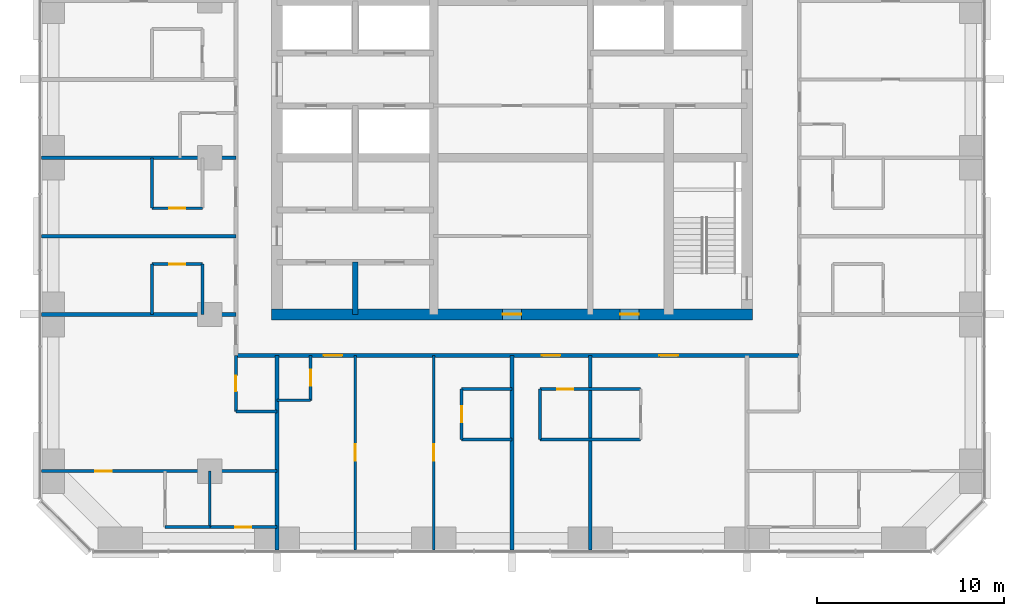
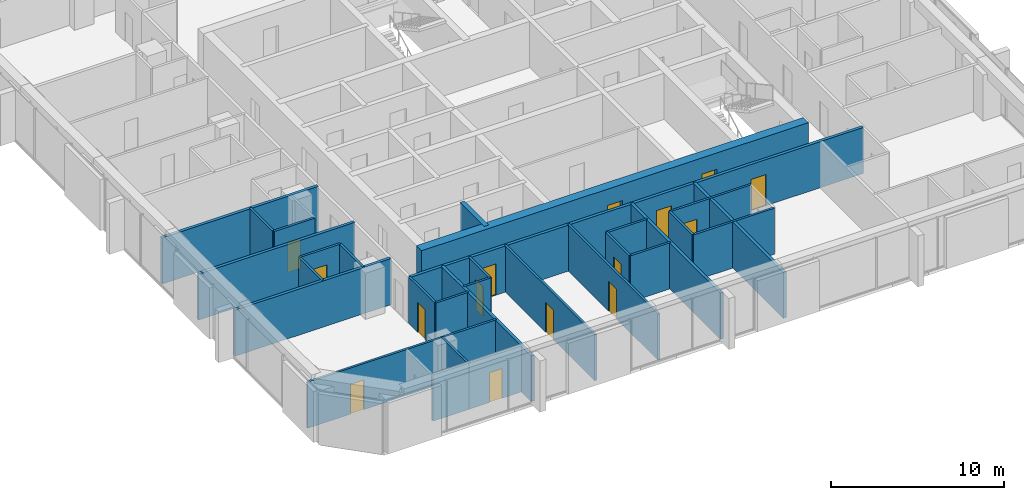
# One storey, part 8 of 13: 30 walls, 15 doors, 15 openings.
"""IFC4 building model written with IfcOpenShell, lengths in metres."""

from ifc_helpers import new_model, si_unit, direction, frame, frame_2d, origin, place, context, subcontext, project, spatial, rectangle, extrude, material, layer, layer_set, type_object, element, fill, save


model = new_model("IFC4")

# Units and contexts
model_context = context("Model", 3, precision=1e-05, world=origin(), true_north=direction((0.0, 1.0)))
body_context = subcontext(model_context, "Body", "Model", "MODEL_VIEW")
ifc_project = project(units=[si_unit("LENGTHUNIT", "METRE"), si_unit("AREAUNIT", "SQUARE_METRE"), si_unit("VOLUMEUNIT", "CUBIC_METRE"), si_unit("PLANEANGLEUNIT", "RADIAN"), si_unit("MASSUNIT", "GRAM", prefix="KILO")], contexts=[model_context])

# Site, building, storey
site_placement = place(None, origin())
site = spatial("IfcSite", under=ifc_project, at=site_placement, CompositionType="ELEMENT")
building_placement = place(site_placement, origin())
building = spatial("IfcBuilding", under=site, at=building_placement, Name="Dunama Terrace Hotel", CompositionType="ELEMENT")
storey_placement = place(building_placement, frame((0.0, 0.0, 209.39990234375)))
storey = spatial("IfcBuildingStorey", under=building, at=storey_placement, Name="L54", CompositionType="ELEMENT", Elevation=209.39990234375)

# Walls
ifc_material_1 = material(Name="Gypsum board partition", Category="masonry")
ifc_layer_1 = layer(ifc_material_1, 0.14990234375)
ifc_layer_set_1 = layer_set([ifc_layer_1], Name="Bathroom partition 150")
wall_type_1 = type_object("IfcWallType", Name="Bathroom partition 150", PredefinedType="PARTITIONING", material=ifc_layer_set_1)
for number, where, z_axis, x_axis, name in (
    (1, (10.10009765625, 16.800048828125, 0.0), (0.0, 0.0, 1.0), (0.0, 1.0, 0.0), "Bathroom partition 150 L54"),
    (2, (10.10009765625, 22.5, 0.0), (0.0, 0.0, 1.0), (0.0, 1.0, 0.0), "Bathroom partition 150 L54"),
    (3, (12.800048828125, 16.800048828125, 0.0), (0.0, 0.0, 1.0), (0.0, 1.0, 0.0), "Bathroom partition 150 L54"),
):
    element("IfcWall", number, at=place(storey_placement, frame(where, z_axis=z_axis, x_axis=x_axis)), inside=storey, type_object=wall_type_1, Name=name, PredefinedType="PARTITIONING", context=body_context, shape_type="SweptSolid", body=[
        extrude(rectangle(XDim=2.699951171875, YDim=0.14990234375, at=frame_2d((1.35009765625, 0.0))), origin(), (0.0, 0.0, 1.0), 3.25),
    ])

# Wall, opening, door
wall_1_placement = place(storey_placement, frame((14.60009765625, 11.60009765625, 0.0), z_axis=(0.0, 0.0, 1.0), x_axis=(0.0, 1.0, 0.0)))
wall_1 = element("IfcWall", 4, at=wall_1_placement, inside=storey, type_object=wall_type_1, Name="Bathroom partition 150 L54", PredefinedType="PARTITIONING", context=body_context, shape_type="SweptSolid", body=[
    extrude(rectangle(XDim=3.0, YDim=0.14990234375, at=frame_2d((1.5, 0.0))), origin(), (0.0, 0.0, 1.0), 3.25),
])
opening_1_placement = place(wall_1_placement, frame((1.074951171875, 0.0, 0.0)))
opening_1 = element("IfcOpeningElement", 5, at=opening_1_placement, cuts=wall_1, Name="Opening L53-54-041", PredefinedType="OPENING", context=body_context, shape_type="SweptSolid", body=[
    extrude(rectangle(XDim=0.85009765625, YDim=2.10009765625, at=frame_2d((0.425048828125, 1.050048828125))), frame((0.0, 0.0849609375, 0.0), z_axis=(0.0, -1.0, 0.0), x_axis=(1.0, 0.0, 0.0)), (0.0, 0.0, 1.0), 0.169921875),
])
ifc_material_2 = material(Name="Timber door with steel frame", Category="steel")
door_type_1 = type_object("IfcDoorType", Name="Bathroom door 850", OperationType="SINGLE_SWING_LEFT", PredefinedType="DOOR", material=ifc_material_2)
door_1_placement = place(opening_1_placement, frame((0.85009765625, 0.0, 0.0), z_axis=(0.0, 0.0, 1.0), x_axis=(-1.0, 0.0, 0.0)))
door_1 = element("IfcDoor", 6, at=door_1_placement, inside=storey, type_object=door_type_1, Name="Door to powder room L53-54-041, type D2", OperationType="SINGLE_SWING_LEFT", OverallHeight=2.10009765625, OverallWidth=0.85009765625, PredefinedType="DOOR", context=body_context, shape_type="SweptSolid", body=[
    extrude(rectangle(XDim=0.85009765625, YDim=2.10009765625, at=frame_2d((0.425048828125, 1.050048828125))), frame((0.0, 0.025146484375, 0.0), z_axis=(0.0, -1.0, 0.0), x_axis=(1.0, 0.0, 0.0)), (0.0, 0.0, 1.0), 0.050048828125),
])
fill(opening_1, door_1)

wall_2_placement = place(storey_placement, frame((18.60009765625, 12.199951171875, 0.0), z_axis=(0.0, 0.0, 1.0), x_axis=(0.0, 1.0, 0.0)))
wall_2 = element("IfcWall", 7, at=wall_2_placement, inside=storey, type_object=wall_type_1, Name="Bathroom partition 150 L54", PredefinedType="PARTITIONING", context=body_context, shape_type="SweptSolid", body=[
    extrude(rectangle(XDim=2.400146484375, YDim=0.14990234375, at=frame_2d((1.2001953125, 0.0))), origin(), (0.0, 0.0, 1.0), 3.25),
])
opening_2_placement = place(wall_2_placement, frame((0.77490234375, 0.0, 0.0)))
opening_2 = element("IfcOpeningElement", 8, at=opening_2_placement, cuts=wall_2, Name="Opening L53-54-010", PredefinedType="OPENING", context=body_context, shape_type="SweptSolid", body=[
    extrude(rectangle(XDim=0.85009765625, YDim=2.10009765625, at=frame_2d((0.425048828125, 1.050048828125))), frame((0.0, 0.0849609375, 0.0), z_axis=(0.0, -1.0, 0.0), x_axis=(1.0, 0.0, 0.0)), (0.0, 0.0, 1.0), 0.169921875),
])
door_2_placement = place(opening_2_placement, origin())
door_2 = element("IfcDoor", 9, at=door_2_placement, inside=storey, type_object=door_type_1, Name="Door to powder room L53-54-010, type D2", OperationType="SINGLE_SWING_RIGHT", OverallHeight=2.10009765625, OverallWidth=0.85009765625, PredefinedType="DOOR", context=body_context, shape_type="SweptSolid", body=[
    extrude(rectangle(XDim=0.85009765625, YDim=2.10009765625, at=frame_2d((0.425048828125, 1.050048828125))), frame((0.0, 0.02490234375, 0.0), z_axis=(0.0, -1.0, 0.0), x_axis=(1.0, 0.0, 0.0)), (0.0, 0.0, 1.0), 0.050048828125),
])
fill(opening_2, door_2)

wall_3_placement = place(storey_placement, frame((26.699951171875, 10.10009765625, 0.0), z_axis=(0.0, 0.0, 1.0), x_axis=(0.0, 1.0, 0.0)))
wall_3 = element("IfcWall", 10, at=wall_3_placement, inside=storey, type_object=wall_type_1, Name="Bathroom partition 150 L54", PredefinedType="PARTITIONING", context=body_context, shape_type="SweptSolid", body=[
    extrude(rectangle(XDim=2.699951171875, YDim=0.14990234375, at=frame_2d((1.35009765625, 0.0))), origin(), (0.0, 0.0, 1.0), 3.25),
])
opening_3_placement = place(wall_3_placement, frame((0.925048828125, 0.0, 0.0)))
opening_3 = element("IfcOpeningElement", 11, at=opening_3_placement, cuts=wall_3, Name="Opening L53-54-013", PredefinedType="OPENING", context=body_context, shape_type="SweptSolid", body=[
    extrude(rectangle(XDim=0.85009765625, YDim=2.10009765625, at=frame_2d((0.425048828125, 1.050048828125))), frame((0.0, 0.0849609375, 0.0), z_axis=(0.0, -1.0, 0.0), x_axis=(1.0, 0.0, 0.0)), (0.0, 0.0, 1.0), 0.169921875),
])
door_3_placement = place(opening_3_placement, frame((0.85009765625, 0.0, 0.0), z_axis=(0.0, 0.0, 1.0), x_axis=(-1.0, 0.0, 0.0)))
door_3 = element("IfcDoor", 12, at=door_3_placement, inside=storey, type_object=door_type_1, Name="Door to en-suite bathroom L53-54-013, type D2", OperationType="SINGLE_SWING_RIGHT", OverallHeight=2.10009765625, OverallWidth=0.85009765625, PredefinedType="DOOR", context=body_context, shape_type="SweptSolid", body=[
    extrude(rectangle(XDim=0.85009765625, YDim=2.10009765625, at=frame_2d((0.425048828125, 1.050048828125))), frame((0.0, 0.025146484375, 0.0), z_axis=(0.0, -1.0, 0.0), x_axis=(1.0, 0.0, 0.0)), (0.0, 0.0, 1.0), 0.050048828125),
])
fill(opening_3, door_3)

# Wall
wall_4_placement = place(storey_placement, frame((30.89990234375, 10.10009765625, 0.0), z_axis=(0.0, 0.0, 1.0), x_axis=(0.0, 1.0, 0.0)))
element("IfcWall", 13, at=wall_4_placement, inside=storey, type_object=wall_type_1, Name="Bathroom partition 150 L54", PredefinedType="PARTITIONING", context=body_context, shape_type="SweptSolid", body=[
    extrude(rectangle(XDim=2.699951171875, YDim=0.14990234375, at=frame_2d((1.35009765625, 0.0))), origin(), (0.0, 0.0, 1.0), 3.25),
])

# Wall, opening, door
wall_5_placement = place(storey_placement, frame((13.199951171875, 5.39990234375, 0.0), z_axis=(0.0, 0.0, 1.0), x_axis=(1.0, 0.0, 0.0)))
wall_5 = element("IfcWall", 14, at=wall_5_placement, inside=storey, type_object=wall_type_1, Name="Bathroom partition 150 L54", PredefinedType="PARTITIONING", context=body_context, shape_type="SweptSolid", body=[
    extrude(rectangle(XDim=3.60009765625, YDim=0.14990234375, at=frame_2d((1.800048828125, 0.0))), origin(), (0.0, 0.0, 1.0), 3.25),
])
opening_4_placement = place(wall_5_placement, frame((1.375, 0.0, 0.0)))
opening_4 = element("IfcOpeningElement", 15, at=opening_4_placement, cuts=wall_5, Name="Opening L53-54-043", PredefinedType="OPENING", context=body_context, shape_type="SweptSolid", body=[
    extrude(rectangle(XDim=0.85009765625, YDim=2.10009765625, at=frame_2d((0.425048828125, 1.050048828125))), frame((0.0, 0.0849609375, 0.0), z_axis=(0.0, -1.0, 0.0), x_axis=(1.0, 0.0, 0.0)), (0.0, 0.0, 1.0), 0.169921875),
])
door_4_placement = place(opening_4_placement, origin())
door_4 = element("IfcDoor", 16, at=door_4_placement, inside=storey, type_object=door_type_1, Name="Door to en-suite bathroom L53-54-043, type D2", OperationType="SINGLE_SWING_RIGHT", OverallHeight=2.10009765625, OverallWidth=0.85009765625, PredefinedType="DOOR", context=body_context, shape_type="SweptSolid", body=[
    extrude(rectangle(XDim=0.85009765625, YDim=2.10009765625, at=frame_2d((0.425048828125, 1.050048828125))), frame((0.0, 0.02490234375, 0.0), z_axis=(0.0, -1.0, 0.0), x_axis=(1.0, 0.0, 0.0)), (0.0, 0.0, 1.0), 0.050048828125),
])
fill(opening_4, door_4)

# Walls
wall_6_placement = place(storey_placement, frame((26.699951171875, 10.10009765625, 0.0), z_axis=(0.0, 0.0, 1.0), x_axis=(1.0, 0.0, 0.0)))
element("IfcWall", 17, at=wall_6_placement, inside=storey, type_object=wall_type_1, Name="Bathroom partition 150 L54", PredefinedType="PARTITIONING", context=body_context, shape_type="SweptSolid", body=[
    extrude(rectangle(XDim=2.699951171875, YDim=0.14990234375, at=frame_2d((1.35009765625, 0.0))), origin(), (0.0, 0.0, 1.0), 3.25),
])
wall_7_placement = place(storey_placement, frame((30.89990234375, 10.10009765625, 0.0), z_axis=(0.0, 0.0, 1.0), x_axis=(1.0, 0.0, 0.0)))
element("IfcWall", 18, at=wall_7_placement, inside=storey, type_object=wall_type_1, Name="Bathroom partition 150 L54", PredefinedType="PARTITIONING", context=body_context, shape_type="SweptSolid", body=[
    extrude(rectangle(XDim=5.400146484375, YDim=0.14990234375, at=frame_2d((2.7001953125, 0.0))), origin(), (0.0, 0.0, 1.0), 3.25),
])
wall_8_placement = place(storey_placement, frame((14.60009765625, 11.60009765625, 0.0), z_axis=(0.0, 0.0, 1.0), x_axis=(1.0, 0.0, 0.0)))
element("IfcWall", 19, at=wall_8_placement, inside=storey, type_object=wall_type_1, Name="Bathroom partition 150 L54", PredefinedType="PARTITIONING", context=body_context, shape_type="SweptSolid", body=[
    extrude(rectangle(XDim=2.199951171875, YDim=0.14990234375, at=frame_2d((1.10009765625, 0.0))), origin(), (0.0, 0.0, 1.0), 3.25),
])
wall_9_placement = place(storey_placement, frame((16.800048828125, 12.199951171875, 0.0), z_axis=(0.0, 0.0, 1.0), x_axis=(1.0, 0.0, 0.0)))
element("IfcWall", 20, at=wall_9_placement, inside=storey, type_object=wall_type_1, Name="Bathroom partition 150 L54", PredefinedType="PARTITIONING", context=body_context, shape_type="SweptSolid", body=[
    extrude(rectangle(XDim=1.800048828125, YDim=0.14990234375, at=frame_2d((0.89990234375, 0.0))), origin(), (0.0, 0.0, 1.0), 3.25),
])
wall_10_placement = place(storey_placement, frame((26.699951171875, 12.800048828125, 0.0), z_axis=(0.0, 0.0, 1.0), x_axis=(1.0, 0.0, 0.0)))
element("IfcWall", 21, at=wall_10_placement, inside=storey, type_object=wall_type_1, Name="Bathroom partition 150 L54", PredefinedType="PARTITIONING", context=body_context, shape_type="SweptSolid", body=[
    extrude(rectangle(XDim=2.699951171875, YDim=0.14990234375, at=frame_2d((1.35009765625, 0.0))), origin(), (0.0, 0.0, 1.0), 3.25),
])

# Wall, opening, door
wall_11_placement = place(storey_placement, frame((30.89990234375, 12.800048828125, 0.0), z_axis=(0.0, 0.0, 1.0), x_axis=(1.0, 0.0, 0.0)))
wall_11 = element("IfcWall", 22, at=wall_11_placement, inside=storey, type_object=wall_type_1, Name="Bathroom partition 150 L54", PredefinedType="PARTITIONING", context=body_context, shape_type="SweptSolid", body=[
    extrude(rectangle(XDim=5.400146484375, YDim=0.14990234375, at=frame_2d((2.7001953125, 0.0))), origin(), (0.0, 0.0, 1.0), 3.25),
])
opening_5_placement = place(wall_11_placement, frame((0.925048828125, 0.0, 0.0)))
opening_5 = element("IfcOpeningElement", 23, at=opening_5_placement, cuts=wall_11, Name="Opening L53-54-015", PredefinedType="OPENING", context=body_context, shape_type="SweptSolid", body=[
    extrude(rectangle(XDim=0.85009765625, YDim=2.10009765625, at=frame_2d((0.425048828125, 1.050048828125))), frame((0.0, 0.0849609375, 0.0), z_axis=(0.0, -1.0, 0.0), x_axis=(1.0, 0.0, 0.0)), (0.0, 0.0, 1.0), 0.169921875),
])
door_5_placement = place(opening_5_placement, frame((0.85009765625, 0.0, 0.0), z_axis=(0.0, 0.0, 1.0), x_axis=(-1.0, 0.0, 0.0)))
door_5 = element("IfcDoor", 24, at=door_5_placement, inside=storey, type_object=door_type_1, Name="Door to en-suite bathroom L53-54-015, type D2", OperationType="SINGLE_SWING_LEFT", OverallHeight=2.10009765625, OverallWidth=0.85009765625, PredefinedType="DOOR", context=body_context, shape_type="SweptSolid", body=[
    extrude(rectangle(XDim=0.85009765625, YDim=2.10009765625, at=frame_2d((0.425048828125, 1.050048828125))), frame((0.0, 0.025146484375, 0.0), z_axis=(0.0, -1.0, 0.0), x_axis=(1.0, 0.0, 0.0)), (0.0, 0.0, 1.0), 0.050048828125),
])
fill(opening_5, door_5)

wall_12_placement = place(storey_placement, frame((10.10009765625, 19.5, 0.0), z_axis=(0.0, 0.0, 1.0), x_axis=(1.0, 0.0, 0.0)))
wall_12 = element("IfcWall", 25, at=wall_12_placement, inside=storey, type_object=wall_type_1, Name="Bathroom partition 150 L54", PredefinedType="PARTITIONING", context=body_context, shape_type="SweptSolid", body=[
    extrude(rectangle(XDim=2.699951171875, YDim=0.14990234375, at=frame_2d((1.35009765625, 0.0))), origin(), (0.0, 0.0, 1.0), 3.25),
])
opening_6_placement = place(wall_12_placement, frame((0.925048828125, 0.0, 0.0)))
opening_6 = element("IfcOpeningElement", 26, at=opening_6_placement, cuts=wall_12, Name="Opening L53-54-030", PredefinedType="OPENING", context=body_context, shape_type="SweptSolid", body=[
    extrude(rectangle(XDim=0.85009765625, YDim=2.10009765625, at=frame_2d((0.425048828125, 1.050048828125))), frame((0.0, 0.0849609375, 0.0), z_axis=(0.0, -1.0, 0.0), x_axis=(1.0, 0.0, 0.0)), (0.0, 0.0, 1.0), 0.169921875),
])
door_6_placement = place(opening_6_placement, frame((0.85009765625, 0.0, 0.0), z_axis=(0.0, 0.0, 1.0), x_axis=(-1.0, 0.0, 0.0)))
door_6 = element("IfcDoor", 27, at=door_6_placement, inside=storey, type_object=door_type_1, Name="Door to en-suite bathroom L53-54-030, type D2", OperationType="SINGLE_SWING_RIGHT", OverallHeight=2.10009765625, OverallWidth=0.85009765625, PredefinedType="DOOR", context=body_context, shape_type="SweptSolid", body=[
    extrude(rectangle(XDim=0.85009765625, YDim=2.10009765625, at=frame_2d((0.425048828125, 1.050048828125))), frame((0.0, 0.025146484375, 0.0), z_axis=(0.0, -1.0, 0.0), x_axis=(1.0, 0.0, 0.0)), (0.0, 0.0, 1.0), 0.050048828125),
])
fill(opening_6, door_6)

wall_13_placement = place(storey_placement, frame((10.10009765625, 22.5, 0.0), z_axis=(0.0, 0.0, 1.0), x_axis=(1.0, 0.0, 0.0)))
wall_13 = element("IfcWall", 28, at=wall_13_placement, inside=storey, type_object=wall_type_1, Name="Bathroom partition 150 L54", PredefinedType="PARTITIONING", context=body_context, shape_type="SweptSolid", body=[
    extrude(rectangle(XDim=2.699951171875, YDim=0.14990234375, at=frame_2d((1.35009765625, 0.0))), origin(), (0.0, 0.0, 1.0), 3.25),
])
opening_7_placement = place(wall_13_placement, frame((0.925048828125, 0.0, 0.0)))
opening_7 = element("IfcOpeningElement", 29, at=opening_7_placement, cuts=wall_13, Name="Opening L53-54-032", PredefinedType="OPENING", context=body_context, shape_type="SweptSolid", body=[
    extrude(rectangle(XDim=0.85009765625, YDim=2.10009765625, at=frame_2d((0.425048828125, 1.050048828125))), frame((0.0, 0.0849609375, 0.0), z_axis=(0.0, -1.0, 0.0), x_axis=(1.0, 0.0, 0.0)), (0.0, 0.0, 1.0), 0.169921875),
])
door_7_placement = place(opening_7_placement, origin())
door_7 = element("IfcDoor", 30, at=door_7_placement, inside=storey, type_object=door_type_1, Name="Door to en-suite bathroom L53-54-032, type D2", OperationType="SINGLE_SWING_LEFT", OverallHeight=2.10009765625, OverallWidth=0.85009765625, PredefinedType="DOOR", context=body_context, shape_type="SweptSolid", body=[
    extrude(rectangle(XDim=0.85009765625, YDim=2.10009765625, at=frame_2d((0.425048828125, 1.050048828125))), frame((0.0, 0.02490234375, 0.0), z_axis=(0.0, -1.0, 0.0), x_axis=(1.0, 0.0, 0.0)), (0.0, 0.0, 1.0), 0.050048828125),
])
fill(opening_7, door_7)

# Wall
ifc_material_3 = material(Name="Concrete C50/60", Category="concrete")
ifc_layer_2 = layer(ifc_material_3, 0.300048828125)
ifc_layer_set_2 = layer_set([ifc_layer_2], Name="Core inner wall 300")
wall_type_2 = type_object("IfcWallType", Name="Core inner wall 300", PredefinedType="SHEAR", material=ifc_layer_set_2)
wall_14_placement = place(storey_placement, frame((21.0, 16.800048828125, -0.349853515625), z_axis=(0.0, 0.0, 1.0), x_axis=(0.0, 1.0, 0.0)))
element("IfcWall", 31, at=wall_14_placement, inside=storey, type_object=wall_type_2, Name="Core inner wall 300 L54", PredefinedType="SHEAR", context=body_context, shape_type="SweptSolid", body=[
    extrude(rectangle(XDim=2.800048828125, YDim=0.300048828125, at=frame_2d((1.39990234375, 0.0))), origin(), (0.0, 0.0, 1.0), 3.599853515625),
])

# Wall, openings, doors
ifc_material_4 = material(Name="Concrete C50/60", Category="concrete")
ifc_layer_3 = layer(ifc_material_4, 0.60009765625)
ifc_layer_set_3 = layer_set([ifc_layer_3], Name="Core wall 600")
wall_type_3 = type_object("IfcWallType", Name="Core wall 600", PredefinedType="SHEAR", material=ifc_layer_set_3)
wall_15_placement = place(storey_placement, frame((16.5, 16.800048828125, -0.349853515625), z_axis=(0.0, 0.0, 1.0), x_axis=(1.0, 0.0, 0.0)))
wall_15 = element("IfcWall", 32, at=wall_15_placement, inside=storey, type_object=wall_type_3, Name="Core wall south L54", PredefinedType="SHEAR", context=body_context, shape_type="SweptSolid", body=[
    extrude(rectangle(XDim=25.800048828125, YDim=0.60009765625, at=frame_2d((12.89990234375, 0.0))), origin(), (0.0, 0.0, 1.0), 3.599853515625),
])
opening_8_placement = place(wall_15_placement, frame((12.39990234375, 0.0, 0.35009765625)))
opening_8 = element("IfcOpeningElement", 33, at=opening_8_placement, cuts=wall_15, Name="Opening L53-54-075", PredefinedType="OPENING", context=body_context, shape_type="SweptSolid", body=[
    extrude(rectangle(XDim=1.0, YDim=2.10009765625, at=frame_2d((0.5, 1.050048828125))), frame((0.0, 0.31005859375, 0.0), z_axis=(0.0, -1.0, 0.0), x_axis=(1.0, 0.0, 0.0)), (0.0, 0.0, 1.0), 0.6201171875),
])
opening_9_placement = place(wall_15_placement, frame((18.699951171875, 0.0, 0.35009765625)))
opening_9 = element("IfcOpeningElement", 34, at=opening_9_placement, cuts=wall_15, Name="Opening L53-54-077", PredefinedType="OPENING", context=body_context, shape_type="SweptSolid", body=[
    extrude(rectangle(XDim=1.0, YDim=2.10009765625, at=frame_2d((0.5, 1.050048828125))), frame((0.0, 0.31005859375, 0.0), z_axis=(0.0, -1.0, 0.0), x_axis=(1.0, 0.0, 0.0)), (0.0, 0.0, 1.0), 0.6201171875),
])
ifc_material_5 = material(Name="Timber door with steel frame", Category="steel")
door_type_2 = type_object("IfcDoorType", Name="Service door 1000", OperationType="SINGLE_SWING_LEFT", PredefinedType="DOOR", material=ifc_material_5)
door_8_placement = place(opening_8_placement, origin())
door_8 = element("IfcDoor", 35, at=door_8_placement, inside=storey, type_object=door_type_2, Name="Door to corridor air handling room L53-54-075, type D7", OperationType="SINGLE_SWING_LEFT", OverallHeight=2.10009765625, OverallWidth=1.0, PredefinedType="DOOR", context=body_context, shape_type="SweptSolid", body=[
    extrude(rectangle(XDim=1.0, YDim=2.10009765625, at=frame_2d((0.5, 1.050048828125))), frame((0.0, 0.02490234375, 0.0), z_axis=(0.0, -1.0, 0.0), x_axis=(1.0, 0.0, 0.0)), (0.0, 0.0, 1.0), 0.050048828125),
])
fill(opening_8, door_8)
door_9_placement = place(opening_9_placement, origin())
door_9 = element("IfcDoor", 36, at=door_9_placement, inside=storey, type_object=door_type_2, Name="Door to water riser room L53-54-077, type D7", OperationType="SINGLE_SWING_RIGHT", OverallHeight=2.10009765625, OverallWidth=1.0, PredefinedType="DOOR", context=body_context, shape_type="SweptSolid", body=[
    extrude(rectangle(XDim=1.0, YDim=2.10009765625, at=frame_2d((0.5, 1.050048828125))), frame((0.0, 0.02490234375, 0.0), z_axis=(0.0, -1.0, 0.0), x_axis=(1.0, 0.0, 0.0)), (0.0, 0.0, 1.0), 0.050048828125),
])
fill(opening_9, door_9)

ifc_material_6 = material(Name="Concrete blockwork", Category="masonry")
ifc_layer_4 = layer(ifc_material_6, 0.199951171875)
ifc_layer_set_4 = layer_set([ifc_layer_4], Name="Corridor partition 200")
wall_type_4 = type_object("IfcWallType", Name="Corridor partition 200", PredefinedType="PARTITIONING", material=ifc_layer_set_4)
wall_16_placement = place(storey_placement, frame((44.800048828125, 14.60009765625, 0.0), z_axis=(0.0, 0.0, 1.0), x_axis=(-1.0, 0.0, 0.0)))
wall_16 = element("IfcWall", 37, at=wall_16_placement, inside=storey, type_object=wall_type_4, Name="Corridor partition 200 L54", PredefinedType="PARTITIONING", context=body_context, shape_type="SweptSolid", body=[
    extrude(rectangle(XDim=30.199951171875, YDim=0.199951171875, at=frame_2d((15.10009765625, 0.0))), origin(), (0.0, 0.0, 1.0), 3.25),
])
opening_10_placement = place(wall_16_placement, frame((24.5, 0.0, 0.0)))
opening_10 = element("IfcOpeningElement", 38, at=opening_10_placement, cuts=wall_16, Name="Opening L53-54-009", PredefinedType="OPENING", context=body_context, shape_type="SweptSolid", body=[
    extrude(rectangle(XDim=1.0, YDim=2.199951171875, at=frame_2d((0.5, 1.10009765625))), frame((0.0, 0.10986328125, 0.0), z_axis=(0.0, -1.0, 0.0), x_axis=(1.0, 0.0, 0.0)), (0.0, 0.0, 1.0), 0.219970703125),
])
opening_11_placement = place(wall_16_placement, frame((12.800048828125, 0.0, 0.0)))
opening_11 = element("IfcOpeningElement", 39, at=opening_11_placement, cuts=wall_16, Name="Opening L53-54-014", PredefinedType="OPENING", context=body_context, shape_type="SweptSolid", body=[
    extrude(rectangle(XDim=1.0, YDim=2.199951171875, at=frame_2d((0.5, 1.10009765625))), frame((0.0, 0.10986328125, 0.0), z_axis=(0.0, -1.0, 0.0), x_axis=(1.0, 0.0, 0.0)), (0.0, 0.0, 1.0), 0.219970703125),
])
opening_12_placement = place(wall_16_placement, frame((6.5, 0.0, 0.0)))
opening_12 = element("IfcOpeningElement", 40, at=opening_12_placement, cuts=wall_16, Name="Opening L53-54-016", PredefinedType="OPENING", context=body_context, shape_type="SweptSolid", body=[
    extrude(rectangle(XDim=1.0, YDim=2.199951171875, at=frame_2d((0.5, 1.10009765625))), frame((0.0, 0.10986328125, 0.0), z_axis=(0.0, -1.0, 0.0), x_axis=(1.0, 0.0, 0.0)), (0.0, 0.0, 1.0), 0.219970703125),
])
ifc_material_7 = material(Name="Timber door with steel frame", Category="steel")
door_type_3 = type_object("IfcDoorType", Name="Guest room door 1000", OperationType="SINGLE_SWING_LEFT", PredefinedType="DOOR", material=ifc_material_7)
door_10_placement = place(opening_10_placement, origin())
door_10 = element("IfcDoor", 41, at=door_10_placement, inside=storey, type_object=door_type_3, Name="Door to ambassador suite living room L53-54-009, type D1", OperationType="SINGLE_SWING_RIGHT", OverallHeight=2.199951171875, OverallWidth=1.0, PredefinedType="DOOR", context=body_context, shape_type="SweptSolid", body=[
    extrude(rectangle(XDim=1.0, YDim=2.199951171875, at=frame_2d((0.5, 1.10009765625))), frame((0.0, 0.02490234375, 0.0), z_axis=(0.0, -1.0, 0.0), x_axis=(1.0, 0.0, 0.0)), (0.0, 0.0, 1.0), 0.050048828125),
])
fill(opening_10, door_10)
door_11_placement = place(opening_11_placement, origin())
door_11 = element("IfcDoor", 42, at=door_11_placement, inside=storey, type_object=door_type_3, Name="Door to club room L53-54-014, type D1", OperationType="SINGLE_SWING_LEFT", OverallHeight=2.199951171875, OverallWidth=1.0, PredefinedType="DOOR", context=body_context, shape_type="SweptSolid", body=[
    extrude(rectangle(XDim=1.0, YDim=2.199951171875, at=frame_2d((0.5, 1.10009765625))), frame((0.0, 0.02490234375, 0.0), z_axis=(0.0, -1.0, 0.0), x_axis=(1.0, 0.0, 0.0)), (0.0, 0.0, 1.0), 0.050048828125),
])
fill(opening_11, door_11)
door_12_placement = place(opening_12_placement, origin())
door_12 = element("IfcDoor", 43, at=door_12_placement, inside=storey, type_object=door_type_3, Name="Door to junior suite L53-54-016, type D1", OperationType="SINGLE_SWING_RIGHT", OverallHeight=2.199951171875, OverallWidth=1.0, PredefinedType="DOOR", context=body_context, shape_type="SweptSolid", body=[
    extrude(rectangle(XDim=1.0, YDim=2.199951171875, at=frame_2d((0.5, 1.10009765625))), frame((0.0, 0.02490234375, 0.0), z_axis=(0.0, -1.0, 0.0), x_axis=(1.0, 0.0, 0.0)), (0.0, 0.0, 1.0), 0.050048828125),
])
fill(opening_12, door_12)

# Walls
ifc_material_8 = material(Name="Concrete blockwork", Category="masonry")
ifc_layer_5 = layer(ifc_material_8, 0.199951171875)
ifc_layer_set_5 = layer_set([ifc_layer_5], Name="Party wall 200")
wall_type_5 = type_object("IfcWallType", Name="Party wall 200", PredefinedType="PARTITIONING", material=ifc_layer_set_5)
for number, where, z_axis, x_axis, name in (
    (44, (16.800048828125, 4.181884765625, 0.0), (0.0, 0.0, 1.0), (0.0, 1.0, 0.0), "Party wall 200 L54"),
    (45, (29.39990234375, 4.181884765625, 0.0), (0.0, 0.0, 1.0), (0.0, 1.0, 0.0), "Party wall 200 L54"),
    (46, (33.60009765625, 4.181884765625, 0.0), (0.0, 0.0, 1.0), (0.0, 1.0, 0.0), "Party wall 200 L54"),
    (47, (4.181884765625, 16.800048828125, 0.0), (0.0, 0.0, 1.0), (1.0, 0.0, 0.0), "Party wall 200 L54"),
    (48, (4.181884765625, 21.0, 0.0), (0.0, 0.0, 1.0), (1.0, 0.0, 0.0), "Party wall 200 L54"),
    (49, (4.181884765625, 25.199951171875, 0.0), (0.0, 0.0, 1.0), (1.0, 0.0, 0.0), "Party wall 200 L54"),
):
    element("IfcWall", number, at=place(storey_placement, frame(where, z_axis=z_axis, x_axis=x_axis)), inside=storey, type_object=wall_type_5, Name=name, PredefinedType="PARTITIONING", context=body_context, shape_type="SweptSolid", body=[
        extrude(rectangle(XDim=10.418212890625, YDim=0.199951171875, at=frame_2d((5.208984375, 0.0))), origin(), (0.0, 0.0, 1.0), 3.25),
    ])
ifc_material_9 = material(Name="Gypsum board partition", Category="masonry")
ifc_layer_6 = layer(ifc_material_9, 0.14990234375)
ifc_layer_set_6 = layer_set([ifc_layer_6], Name="Room partition 150")
wall_type_6 = type_object("IfcWallType", Name="Room partition 150", PredefinedType="PARTITIONING", material=ifc_layer_set_6)
wall_17_placement = place(storey_placement, frame((13.199951171875, 5.39990234375, 0.0), z_axis=(0.0, 0.0, 1.0), x_axis=(0.0, 1.0, 0.0)))
element("IfcWall", 50, at=wall_17_placement, inside=storey, type_object=wall_type_6, Name="Room partition 150 L54", PredefinedType="PARTITIONING", context=body_context, shape_type="SweptSolid", body=[
    extrude(rectangle(XDim=3.0, YDim=0.14990234375, at=frame_2d((1.5, 0.0))), origin(), (0.0, 0.0, 1.0), 3.25),
])

# Wall, opening, door
wall_18_placement = place(storey_placement, frame((21.0, 4.181884765625, 0.0), z_axis=(0.0, 0.0, 1.0), x_axis=(0.0, 1.0, 0.0)))
wall_18 = element("IfcWall", 51, at=wall_18_placement, inside=storey, type_object=wall_type_6, Name="Room partition 150 L54", PredefinedType="PARTITIONING", context=body_context, shape_type="SweptSolid", body=[
    extrude(rectangle(XDim=10.418212890625, YDim=0.14990234375, at=frame_2d((5.208984375, 0.0))), origin(), (0.0, 0.0, 1.0), 3.25),
])
opening_13_placement = place(wall_18_placement, frame((4.76806640625, 0.0, 0.0)))
opening_13 = element("IfcOpeningElement", 52, at=opening_13_placement, cuts=wall_18, Name="Opening L53-54-011", PredefinedType="OPENING", context=body_context, shape_type="SweptSolid", body=[
    extrude(rectangle(XDim=0.89990234375, YDim=2.10009765625, at=frame_2d((0.449951171875, 1.050048828125))), frame((0.0, 0.0849609375, 0.0), z_axis=(0.0, -1.0, 0.0), x_axis=(1.0, 0.0, 0.0)), (0.0, 0.0, 1.0), 0.169921875),
])
ifc_material_10 = material(Name="Timber door with steel frame", Category="steel")
door_type_4 = type_object("IfcDoorType", Name="Suite internal door 900", OperationType="SINGLE_SWING_LEFT", PredefinedType="DOOR", material=ifc_material_10)
door_13_placement = place(opening_13_placement, origin())
door_13 = element("IfcDoor", 53, at=door_13_placement, inside=storey, type_object=door_type_4, Name="Door to ambassador suite study L53-54-011, type D16", OperationType="SINGLE_SWING_RIGHT", OverallHeight=2.10009765625, OverallWidth=0.89990234375, PredefinedType="DOOR", context=body_context, shape_type="SweptSolid", body=[
    extrude(rectangle(XDim=0.89990234375, YDim=2.10009765625, at=frame_2d((0.449951171875, 1.050048828125))), frame((0.0, 0.02490234375, 0.0), z_axis=(0.0, -1.0, 0.0), x_axis=(1.0, 0.0, 0.0)), (0.0, 0.0, 1.0), 0.050048828125),
])
fill(opening_13, door_13)

wall_19_placement = place(storey_placement, frame((25.199951171875, 4.181884765625, 0.0), z_axis=(0.0, 0.0, 1.0), x_axis=(0.0, 1.0, 0.0)))
wall_19 = element("IfcWall", 54, at=wall_19_placement, inside=storey, type_object=wall_type_6, Name="Room partition 150 L54", PredefinedType="PARTITIONING", context=body_context, shape_type="SweptSolid", body=[
    extrude(rectangle(XDim=10.418212890625, YDim=0.14990234375, at=frame_2d((5.208984375, 0.0))), origin(), (0.0, 0.0, 1.0), 3.25),
])
opening_14_placement = place(wall_19_placement, frame((4.76806640625, 0.0, 0.0)))
opening_14 = element("IfcOpeningElement", 55, at=opening_14_placement, cuts=wall_19, Name="Opening L53-54-012", PredefinedType="OPENING", context=body_context, shape_type="SweptSolid", body=[
    extrude(rectangle(XDim=0.89990234375, YDim=2.10009765625, at=frame_2d((0.449951171875, 1.050048828125))), frame((0.0, 0.0849609375, 0.0), z_axis=(0.0, -1.0, 0.0), x_axis=(1.0, 0.0, 0.0)), (0.0, 0.0, 1.0), 0.169921875),
])
door_14_placement = place(opening_14_placement, frame((0.89990234375, 0.0, 0.0), z_axis=(0.0, 0.0, 1.0), x_axis=(-1.0, 0.0, 0.0)))
door_14 = element("IfcDoor", 56, at=door_14_placement, inside=storey, type_object=door_type_4, Name="Door to ambassador suite bedroom L53-54-012, type D16", OperationType="SINGLE_SWING_LEFT", OverallHeight=2.10009765625, OverallWidth=0.89990234375, PredefinedType="DOOR", context=body_context, shape_type="SweptSolid", body=[
    extrude(rectangle(XDim=0.89990234375, YDim=2.10009765625, at=frame_2d((0.449951171875, 1.050048828125))), frame((0.0, 0.025146484375, 0.0), z_axis=(0.0, -1.0, 0.0), x_axis=(1.0, 0.0, 0.0)), (0.0, 0.0, 1.0), 0.050048828125),
])
fill(opening_14, door_14)

# Wall
wall_20_placement = place(storey_placement, frame((10.800048828125, 5.39990234375, 0.0), z_axis=(0.0, 0.0, 1.0), x_axis=(1.0, 0.0, 0.0)))
element("IfcWall", 57, at=wall_20_placement, inside=storey, type_object=wall_type_6, Name="Room partition 150 L54", PredefinedType="PARTITIONING", context=body_context, shape_type="SweptSolid", body=[
    extrude(rectangle(XDim=2.39990234375, YDim=0.14990234375, at=frame_2d((1.199951171875, 0.0))), origin(), (0.0, 0.0, 1.0), 3.25),
])

# Wall, opening, door
wall_21_placement = place(storey_placement, frame((4.181884765625, 8.39990234375, 0.0), z_axis=(0.0, 0.0, 1.0), x_axis=(1.0, 0.0, 0.0)))
wall_21 = element("IfcWall", 58, at=wall_21_placement, inside=storey, type_object=wall_type_6, Name="Room partition 150 L54", PredefinedType="PARTITIONING", context=body_context, shape_type="SweptSolid", body=[
    extrude(rectangle(XDim=12.6181640625, YDim=0.14990234375, at=frame_2d((6.30908203125, 0.0))), origin(), (0.0, 0.0, 1.0), 3.25),
])
opening_15_placement = place(wall_21_placement, frame((2.867919921875, 0.0, 0.0)))
opening_15 = element("IfcOpeningElement", 59, at=opening_15_placement, cuts=wall_21, Name="Opening L53-54-042", PredefinedType="OPENING", context=body_context, shape_type="SweptSolid", body=[
    extrude(rectangle(XDim=0.89990234375, YDim=2.10009765625, at=frame_2d((0.449951171875, 1.050048828125))), frame((0.0, 0.0849609375, 0.0), z_axis=(0.0, -1.0, 0.0), x_axis=(1.0, 0.0, 0.0)), (0.0, 0.0, 1.0), 0.169921875),
])
door_15_placement = place(opening_15_placement, frame((0.89990234375, 0.0, 0.0), z_axis=(0.0, 0.0, 1.0), x_axis=(-1.0, 0.0, 0.0)))
door_15 = element("IfcDoor", 60, at=door_15_placement, inside=storey, type_object=door_type_4, Name="Door to corner suite bedroom L53-54-042, type D16", OperationType="SINGLE_SWING_RIGHT", OverallHeight=2.10009765625, OverallWidth=0.89990234375, PredefinedType="DOOR", context=body_context, shape_type="SweptSolid", body=[
    extrude(rectangle(XDim=0.89990234375, YDim=2.10009765625, at=frame_2d((0.449951171875, 1.050048828125))), frame((0.0, 0.025146484375, 0.0), z_axis=(0.0, -1.0, 0.0), x_axis=(1.0, 0.0, 0.0)), (0.0, 0.0, 1.0), 0.050048828125),
])
fill(opening_15, door_15)

save(model, "model.ifc")
